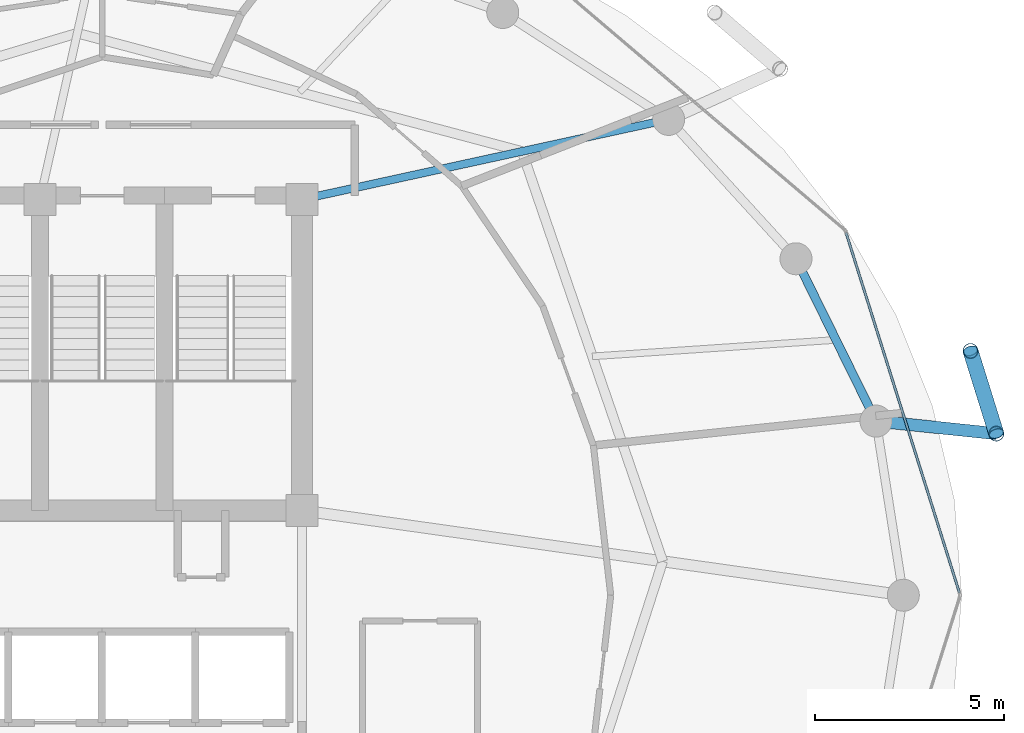
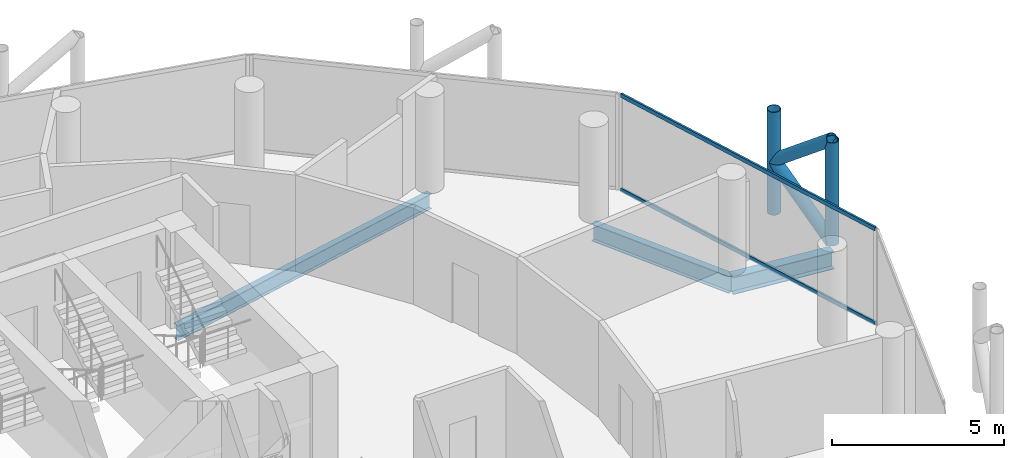
# One storey, part 16 of 27: 6 members, 3 beams, 1 element without a shape of its own.
"""IFC4 building model written with IfcOpenShell, lengths in metres."""

from ifc_helpers import new_model, si_unit, direction, frame, origin, origin_2d, place, context, subcontext, project, spatial, hollow_rectangle, hollow_circle, i_section, extrude, material, layer, layer_set, material_profile, profile_set, type_object, element, aggregate, save


model = new_model("IFC4")

# Units and contexts
model_context = context("Model", 3, precision=1e-05, world=origin(), true_north=direction((0.0, 1.0)))
body_context = subcontext(model_context, "Body", "Model", "MODEL_VIEW")
ifc_project = project(units=[si_unit("LENGTHUNIT", "METRE"), si_unit("AREAUNIT", "SQUARE_METRE"), si_unit("VOLUMEUNIT", "CUBIC_METRE"), si_unit("PLANEANGLEUNIT", "RADIAN"), si_unit("MASSUNIT", "GRAM", prefix="KILO")], contexts=[model_context])

# Site, building, storey
site_placement = place(None, origin())
site = spatial("IfcSite", under=ifc_project, at=site_placement, CompositionType="ELEMENT")
building_placement = place(site_placement, origin())
building = spatial("IfcBuilding", under=site, at=building_placement, Name="Nuhasar Tower", CompositionType="ELEMENT")
storey_placement = place(building_placement, frame((0.0, 0.0, 248.300048828125)))
storey = spatial("IfcBuildingStorey", under=building, at=storey_placement, Name="L61", CompositionType="ELEMENT", Elevation=248.300048828125)

# Beams
ifc_material_1 = material(Name="Steel S355", Category="steel")
ifc_material_profile_1 = material_profile(ifc_material_1, i_section(OverallWidth=0.208984375, OverallDepth=0.528076171875, WebThickness=0.009521484375, FlangeThickness=0.01318359375, at=origin_2d()), Name="W21X55")
ifc_profile_set_1 = profile_set([ifc_material_profile_1], Name="Steel S355")
beam_type_1 = type_object("IfcBeamType", Name="BM-RAD-W21X55", PredefinedType="BEAM", material=ifc_profile_set_1)
beam_1_placement = place(storey_placement, frame((44.300048828125, 37.300048828125, -0.504150390625), z_axis=(0.977014275474, 0.213173885644, 0.0), x_axis=(-0.213173885644, 0.977014275474, 0.0)))
element("IfcBeam", 1, at=beam_1_placement, inside=storey, type_object=beam_type_1, Name="L61 Radial Floor Girder 05", PredefinedType="BEAM", context=body_context, shape_type="SweptSolid", body=[
    extrude(i_section(OverallWidth=0.208984375, OverallDepth=0.528076171875, WebThickness=0.009521484375, FlangeThickness=0.01318359375, at=origin_2d()), origin(), (0.0, 0.0, 1.0), 9.95458984375),
])
ifc_material_profile_2 = material_profile(ifc_material_1, i_section(OverallWidth=0.22802734375, OverallDepth=0.60791015625, WebThickness=0.01123046875, FlangeThickness=0.017333984375, at=origin_2d()), Name="W24X76")
ifc_profile_set_2 = profile_set([ifc_material_profile_2], Name="Steel S355")
beam_type_2 = type_object("IfcBeamType", Name="BM-RING-W24X76", PredefinedType="SPANDREL", material=ifc_profile_set_2)
beam_2_placement = place(storey_placement, frame((59.52587890625, 31.419921875, -0.5439453125), z_axis=(-0.442242604409, 0.896895467067, 0.0), x_axis=(-0.896895467067, -0.442242604409, 0.0)))
element("IfcBeam", 2, at=beam_2_placement, inside=storey, type_object=beam_type_2, Name="L61 Perimeter Ring Spandrel 02", PredefinedType="SPANDREL", context=body_context, shape_type="SweptSolid", body=[
    extrude(i_section(OverallWidth=0.22802734375, OverallDepth=0.60791015625, WebThickness=0.01123046875, FlangeThickness=0.017333984375, at=origin_2d()), origin(), (0.0, 0.0, 1.0), 4.800048828125),
])
ifc_material_profile_3 = material_profile(ifc_material_1, i_section(OverallWidth=0.323974609375, OverallDepth=0.611083984375, WebThickness=0.0126953125, FlangeThickness=0.01904296875, at=origin_2d()), Name="W24X104")
ifc_profile_set_3 = profile_set([ifc_material_profile_3], Name="Steel S355")
beam_type_3 = type_object("IfcBeamType", Name="BM-TIE-W24X104", PredefinedType="BEAM", material=ifc_profile_set_3)
beam_3_placement = place(storey_placement, frame((59.52587890625, 31.419921875, -0.545166015625), z_axis=(0.994571111079, -0.10405914187, 0.0), x_axis=(0.10405914187, 0.994571111079, 0.0)))
element("IfcBeam", 3, at=beam_3_placement, inside=storey, type_object=beam_type_3, Name="L61 Exoskeleton Node Tie Beam 01", PredefinedType="BEAM", context=body_context, shape_type="SweptSolid", body=[
    extrude(i_section(OverallWidth=0.323974609375, OverallDepth=0.611083984375, WebThickness=0.0126953125, FlangeThickness=0.01904296875, at=origin_2d()), origin(), (0.0, 0.0, 1.0), 3.20947265625),
])

# Curtain wall, members
ifc_material_2 = material(Name="Aluminium 6063-T6", Category="aluminium")
ifc_layer = layer(ifc_material_2, 0.18994140625)
ifc_layer_set = layer_set([ifc_layer], Name="Aluminium 6063-T6")
curtain_wall_type = type_object("IfcCurtainWallType", Name="CW-Z3-RES", PredefinedType="NOTDEFINED", material=ifc_layer_set)
curtain_wall_placement = place(storey_placement, origin())
curtain_wall = element("IfcCurtainWall", 4, at=curtain_wall_placement, inside=storey, type_object=curtain_wall_type, Name="L61 Unitised Curtain Wall 01", PredefinedType="NOTDEFINED")
ifc_material_profile_4 = material_profile(ifc_material_2, hollow_rectangle(XDim=0.06494140625, YDim=0.139892578125, WallThickness=0.00439453125, at=origin_2d()), Name="CWT-4")
ifc_profile_set_4 = profile_set([ifc_material_profile_4], Name="Aluminium 6063-T6")
member_type_1 = type_object("IfcMemberType", Name="CW-TRN-S4", PredefinedType="USERDEFINED", material=ifc_profile_set_4)
member_1_placement = place(storey_placement, frame((61.740478515625, 26.862060546875, 0.032470703125), z_axis=(-0.300437373386, 0.953801543652, 0.0), x_axis=(-0.953801543652, -0.300437373386, 0.0)))
member_1 = element("IfcMember", 5, at=member_1_placement, type_object=member_type_1, Name="CW-Z3 transom 1.1", ObjectType="TRANSOM", PredefinedType="USERDEFINED", context=body_context, shape_type="SweptSolid", body=[
    extrude(hollow_rectangle(XDim=0.06494140625, YDim=0.139892578125, WallThickness=0.00439453125, at=origin_2d()), origin(), (0.0, 0.0, 1.0), 10.018798828125),
])
member_2_placement = place(storey_placement, frame((61.740478515625, 26.862060546875, 3.37744140625), z_axis=(-0.300437373386, 0.953801543652, 0.0), x_axis=(-0.953801543652, -0.300437373386, 0.0)))
member_2 = element("IfcMember", 6, at=member_2_placement, type_object=member_type_1, Name="CW-Z3 transom 1.2", ObjectType="TRANSOM", PredefinedType="USERDEFINED", context=body_context, shape_type="SweptSolid", body=[
    extrude(hollow_rectangle(XDim=0.06494140625, YDim=0.139892578125, WallThickness=0.00439453125, at=origin_2d()), origin(), (0.0, 0.0, 1.0), 10.018798828125),
])
aggregate(curtain_wall, [member_1, member_2])

# Members
ifc_material_3 = material(Name="Steel S460", Category="steel")
ifc_material_profile_5 = material_profile(ifc_material_3, hollow_circle(Radius=0.203125, WallThickness=0.01904296875, at=origin_2d()), Name="HSS406.4X19.1")
ifc_profile_set_5 = profile_set([ifc_material_profile_5], Name="Steel S460")
member_type_2 = type_object("IfcMemberType", Name="EXO-BRONZE-406", PredefinedType="BRACE", material=ifc_profile_set_5)
for number, where, z_axis, x_axis, name in (
    (7, (62.718017578125, 31.0859375, 0.0), (0.0, 0.0, 1.0), (1.0, 0.0, 0.0), "L61 Exoskeleton Chord Column EC-01A"),
    (8, (62.032958984375, 33.281005859375, 0.0), (0.0, 0.0, 1.0), (1.0, 0.0, 0.0), "L61 Exoskeleton Chord Column EC-01B"),
):
    element("IfcMember", number, at=place(storey_placement, frame(where, z_axis=z_axis, x_axis=x_axis)), inside=storey, type_object=member_type_2, Name=name, PredefinedType="BRACE", context=body_context, shape_type="SweptSolid", body=[
        extrude(hollow_circle(Radius=0.203125, WallThickness=0.01904296875, at=origin_2d()), origin(), (0.0, 0.0, 1.0), 3.64990234375),
    ])
for number, where, z_axis, x_axis, name in (
    (9, (62.718017578125, 31.0859375, 0.0), (-0.233357911711, 0.747726651531, 0.621650174641), (-0.954591372974, -0.297918295247, 0.0), "L61 Bronze Diagrid Brace W1-01"),
    (10, (62.032958984375, 33.281005859375, 1.824951171875), (0.233357911711, -0.747726651531, 0.621650174641), (0.954591372974, 0.297918295247, 0.0), "L61 Bronze Diagrid Brace W2-01"),
):
    element("IfcMember", number, at=place(storey_placement, frame(where, z_axis=z_axis, x_axis=x_axis)), inside=storey, type_object=member_type_2, Name=name, PredefinedType="BRACE", context=body_context, shape_type="SweptSolid", body=[
        extrude(hollow_circle(Radius=0.203125, WallThickness=0.01904296875, at=origin_2d()), origin(), (0.0, 0.0, 1.0), 2.935546875),
    ])

save(model, "model.ifc")
